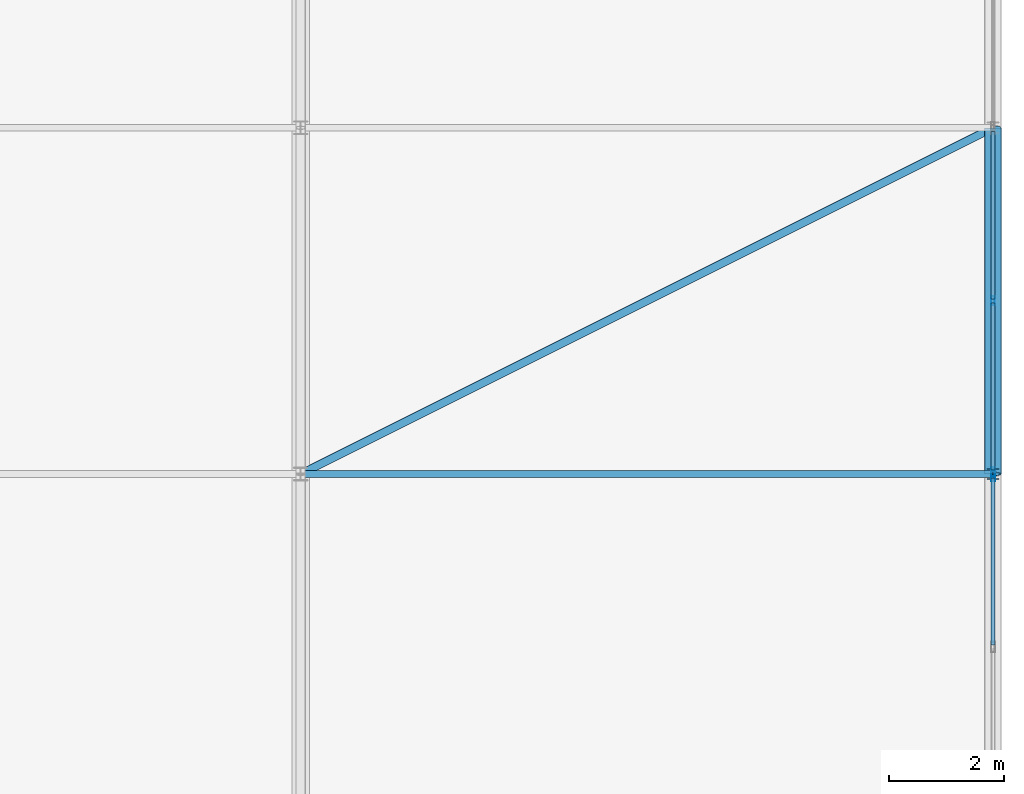
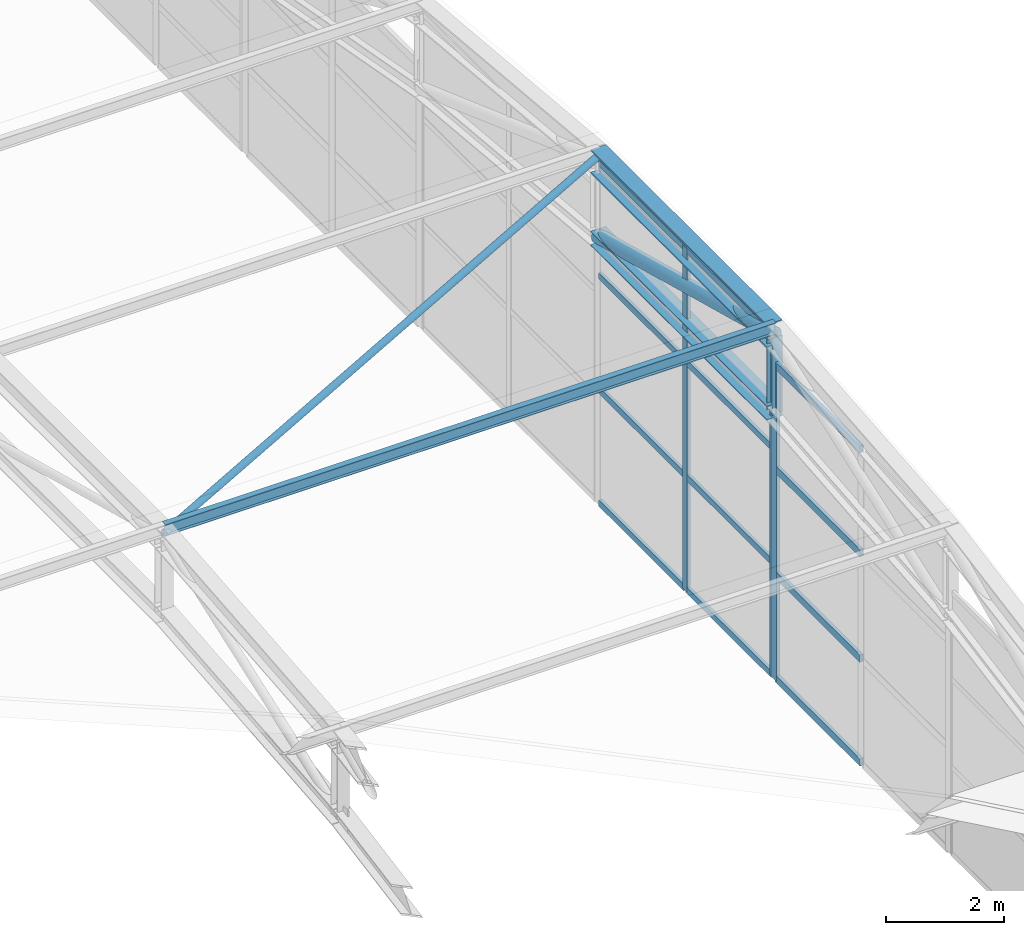
# One storey, part 111 of 204: 21 members, 2 elements without a shape of their own.
"""IFC4 building model written with IfcOpenShell, lengths in metres."""

from ifc_helpers import new_model, si_unit, direction, frame, origin, origin_2d, place, context, subcontext, project, spatial, hollow_rectangle, hollow_circle, i_section, extrude, material, layer, layer_set, material_profile, profile_set, type_object, element, aggregate, save


model = new_model("IFC4")

# Units and contexts
model_context = context("Model", 3, precision=1e-05, world=origin(), true_north=direction((0.0, 1.0)))
body_context = subcontext(model_context, "Body", "Model", "MODEL_VIEW")
ifc_project = project(units=[si_unit("LENGTHUNIT", "METRE"), si_unit("AREAUNIT", "SQUARE_METRE"), si_unit("VOLUMEUNIT", "CUBIC_METRE"), si_unit("PLANEANGLEUNIT", "RADIAN"), si_unit("MASSUNIT", "GRAM", prefix="KILO")], contexts=[model_context])

# Site, building, storey
site_placement = place(None, origin())
site = spatial("IfcSite", under=ifc_project, at=site_placement, CompositionType="ELEMENT")
building_placement = place(site_placement, origin())
building = spatial("IfcBuilding", under=site, at=building_placement, Name="Zilviju Railside Exhibition Hall", CompositionType="ELEMENT")
storey_placement = place(building_placement, frame((0.0, 0.0, 21.0)))
storey = spatial("IfcBuildingStorey", under=building, at=storey_placement, Name="RF", CompositionType="ELEMENT", Elevation=21.0)

# Curtain wall, members
ifc_material_1 = material(Name="Thermally broken aluminium-steel triple-glazed curtain wall", Category="steel")
ifc_layer_1 = layer(ifc_material_1, 0.179931640625)
ifc_layer_set_1 = layer_set([ifc_layer_1], Name="Thermally broken aluminium-steel triple-glazed curtain wall")
curtain_wall_type_1 = type_object("IfcCurtainWallType", Name="CW-BAY-02", PredefinedType="USERDEFINED", material=ifc_layer_set_1)
curtain_wall_1_placement = place(storey_placement, origin())
curtain_wall_1 = element("IfcCurtainWall", 1, at=curtain_wall_1_placement, inside=storey, type_object=curtain_wall_type_1, Name="South Hall Arch Tympanum Glazing East P5", ObjectType="GLAZED CURTAIN WALL", PredefinedType="USERDEFINED")
ifc_material_2 = material(Name="Thermally broken anodized aluminium mullion", Category="aluminium")
ifc_material_profile_1 = material_profile(ifc_material_2, hollow_rectangle(XDim=0.06494140625, YDim=0.159912109375, WallThickness=0.0048828125, at=origin_2d()), Name="MULLION 160x65x5")
ifc_profile_set_1 = profile_set([ifc_material_profile_1], Name="Thermally broken anodized aluminium mullion")
member_type_1 = type_object("IfcMemberType", Name="CWM-65x160", PredefinedType="MULLION", material=ifc_profile_set_1)
member_1_placement = place(storey_placement, frame((216.0, 27.0, -7.800048828125), z_axis=(0.0, 0.0, 1.0), x_axis=(1.0, 0.0, 0.0)))
member_1 = element("IfcMember", 2, at=member_1_placement, type_object=member_type_1, Name="CW-02 mullion 2", PredefinedType="MULLION", context=body_context, shape_type="SweptSolid", body=[
    extrude(hollow_rectangle(XDim=0.06494140625, YDim=0.159912109375, WallThickness=0.0048828125, at=origin_2d()), origin(), (0.0, 0.0, 1.0), 7.131103515625),
])
member_2_placement = place(storey_placement, frame((216.0, 24.032470703125, -7.800048828125), z_axis=(0.0, 0.0, 1.0), x_axis=(1.0, 0.0, 0.0)))
member_2 = element("IfcMember", 3, at=member_2_placement, type_object=member_type_1, Name="CW-02 mullion 3", PredefinedType="MULLION", context=body_context, shape_type="SweptSolid", body=[
    extrude(hollow_rectangle(XDim=0.06494140625, YDim=0.159912109375, WallThickness=0.0048828125, at=origin_2d()), origin(), (0.0, 0.0, 1.0), 7.131103515625),
])

# Curtain wall, member
ifc_layer_2 = layer(ifc_material_1, 0.179931640625)
ifc_layer_set_2 = layer_set([ifc_layer_2], Name="Thermally broken aluminium-steel triple-glazed curtain wall")
curtain_wall_type_2 = type_object("IfcCurtainWallType", Name="CW-BAY-01", PredefinedType="USERDEFINED", material=ifc_layer_set_2)
curtain_wall_2_placement = place(storey_placement, origin())
curtain_wall_2 = element("IfcCurtainWall", 4, at=curtain_wall_2_placement, inside=storey, type_object=curtain_wall_type_2, Name="South Hall Arch Tympanum Glazing East P4", ObjectType="GLAZED CURTAIN WALL", PredefinedType="USERDEFINED")
ifc_material_profile_2 = material_profile(ifc_material_2, hollow_rectangle(XDim=0.070068359375, YDim=0.179931640625, WallThickness=0.0048828125, at=origin_2d()), Name="MULLION 180x70x5")
ifc_profile_set_2 = profile_set([ifc_material_profile_2], Name="Thermally broken anodized aluminium mullion")
member_type_2 = type_object("IfcMemberType", Name="CWM-70x180", PredefinedType="MULLION", material=ifc_profile_set_2)
member_3_placement = place(storey_placement, frame((216.0, 23.965087890625, -7.800048828125), z_axis=(0.0, 0.0, 1.0), x_axis=(1.0, 0.0, 0.0)))
member_3 = element("IfcMember", 5, at=member_3_placement, type_object=member_type_2, Name="CW-01 mullion 1", PredefinedType="MULLION", context=body_context, shape_type="SweptSolid", body=[
    extrude(hollow_rectangle(XDim=0.070068359375, YDim=0.179931640625, WallThickness=0.0048828125, at=origin_2d()), origin(), (0.0, 0.0, 1.0), 6.578125),
])

# Member
ifc_material_3 = material(Name="Thermally broken anodized aluminium transom", Category="aluminium")
ifc_material_profile_3 = material_profile(ifc_material_3, hollow_rectangle(XDim=0.06494140625, YDim=0.1298828125, WallThickness=0.0048828125, at=origin_2d()), Name="TRANSOM 130x65x5")
ifc_profile_set_3 = profile_set([ifc_material_profile_3], Name="Thermally broken anodized aluminium transom")
member_type_3 = type_object("IfcMemberType", Name="CWT-65x130", PredefinedType="USERDEFINED", material=ifc_profile_set_3)
member_4_placement = place(storey_placement, frame((216.0, 29.93505859375, -7.767578125), z_axis=(0.0, -1.0, 0.0), x_axis=(1.0, 0.0, 0.0)))
member_4 = element("IfcMember", 6, at=member_4_placement, type_object=member_type_3, Name="CW-02 transom 1.1", ObjectType="TRANSOM", PredefinedType="USERDEFINED", context=body_context, shape_type="SweptSolid", body=[
    extrude(hollow_rectangle(XDim=0.06494140625, YDim=0.1298828125, WallThickness=0.0048828125, at=origin_2d()), origin(), (0.0, 0.0, 1.0), 2.902587890625),
])

member_5_placement = place(storey_placement, frame((216.0, 29.93505859375, -5.423095703125), z_axis=(0.0, -1.0, 0.0), x_axis=(1.0, 0.0, 0.0)))
member_5 = element("IfcMember", 7, at=member_5_placement, type_object=member_type_3, Name="CW-02 transom 1.2", ObjectType="TRANSOM", PredefinedType="USERDEFINED", context=body_context, shape_type="SweptSolid", body=[
    extrude(hollow_rectangle(XDim=0.06494140625, YDim=0.1298828125, WallThickness=0.0048828125, at=origin_2d()), origin(), (0.0, 0.0, 1.0), 2.902587890625),
])

member_6_placement = place(storey_placement, frame((216.0, 29.93505859375, -3.0458984375), z_axis=(0.0, -1.0, 0.0), x_axis=(1.0, 0.0, 0.0)))
member_6 = element("IfcMember", 8, at=member_6_placement, type_object=member_type_3, Name="CW-02 transom 1.3", ObjectType="TRANSOM", PredefinedType="USERDEFINED", context=body_context, shape_type="SweptSolid", body=[
    extrude(hollow_rectangle(XDim=0.06494140625, YDim=0.1298828125, WallThickness=0.0048828125, at=origin_2d()), origin(), (0.0, 0.0, 1.0), 2.902587890625),
])

member_7_placement = place(storey_placement, frame((216.0, 29.93505859375, -0.701416015625), z_axis=(0.0, -1.0, 0.0), x_axis=(1.0, 0.0, 0.0)))
member_7 = element("IfcMember", 9, at=member_7_placement, type_object=member_type_3, Name="CW-02 transom 1.4", ObjectType="TRANSOM", PredefinedType="USERDEFINED", context=body_context, shape_type="SweptSolid", body=[
    extrude(hollow_rectangle(XDim=0.06494140625, YDim=0.1298828125, WallThickness=0.0048828125, at=origin_2d()), origin(), (0.0, 0.0, 1.0), 2.902587890625),
])

member_8_placement = place(storey_placement, frame((216.0, 26.967529296875, -7.767578125), z_axis=(0.0, -1.0, 0.0), x_axis=(1.0, 0.0, 0.0)))
member_8 = element("IfcMember", 10, at=member_8_placement, type_object=member_type_3, Name="CW-02 transom 2.1", ObjectType="TRANSOM", PredefinedType="USERDEFINED", context=body_context, shape_type="SweptSolid", body=[
    extrude(hollow_rectangle(XDim=0.06494140625, YDim=0.1298828125, WallThickness=0.0048828125, at=origin_2d()), origin(), (0.0, 0.0, 1.0), 2.902587890625),
])

member_9_placement = place(storey_placement, frame((216.0, 26.967529296875, -5.423095703125), z_axis=(0.0, -1.0, 0.0), x_axis=(1.0, 0.0, 0.0)))
member_9 = element("IfcMember", 11, at=member_9_placement, type_object=member_type_3, Name="CW-02 transom 2.2", ObjectType="TRANSOM", PredefinedType="USERDEFINED", context=body_context, shape_type="SweptSolid", body=[
    extrude(hollow_rectangle(XDim=0.06494140625, YDim=0.1298828125, WallThickness=0.0048828125, at=origin_2d()), origin(), (0.0, 0.0, 1.0), 2.902587890625),
])

member_10_placement = place(storey_placement, frame((216.0, 26.967529296875, -3.0458984375), z_axis=(0.0, -1.0, 0.0), x_axis=(1.0, 0.0, 0.0)))
member_10 = element("IfcMember", 12, at=member_10_placement, type_object=member_type_3, Name="CW-02 transom 2.3", ObjectType="TRANSOM", PredefinedType="USERDEFINED", context=body_context, shape_type="SweptSolid", body=[
    extrude(hollow_rectangle(XDim=0.06494140625, YDim=0.1298828125, WallThickness=0.0048828125, at=origin_2d()), origin(), (0.0, 0.0, 1.0), 2.902587890625),
])

member_11_placement = place(storey_placement, frame((216.0, 26.967529296875, -0.701416015625), z_axis=(0.0, -1.0, 0.0), x_axis=(1.0, 0.0, 0.0)))
member_11 = element("IfcMember", 13, at=member_11_placement, type_object=member_type_3, Name="CW-02 transom 2.4", ObjectType="TRANSOM", PredefinedType="USERDEFINED", context=body_context, shape_type="SweptSolid", body=[
    extrude(hollow_rectangle(XDim=0.06494140625, YDim=0.1298828125, WallThickness=0.0048828125, at=origin_2d()), origin(), (0.0, 0.0, 1.0), 2.902587890625),
])

aggregate(curtain_wall_1, [member_1, member_2, member_4, member_5, member_6, member_7, member_8, member_9, member_10, member_11])

ifc_material_profile_4 = material_profile(ifc_material_3, hollow_rectangle(XDim=0.070068359375, YDim=0.14990234375, WallThickness=0.0048828125, at=origin_2d()), Name="TRANSOM 150x70x5")
ifc_profile_set_4 = profile_set([ifc_material_profile_4], Name="Thermally broken anodized aluminium transom")
member_type_4 = type_object("IfcMemberType", Name="CWT-70x150", PredefinedType="USERDEFINED", material=ifc_profile_set_4)
member_12_placement = place(storey_placement, frame((216.0, 23.929931640625, -7.764892578125), z_axis=(0.0, -1.0, 0.0), x_axis=(1.0, 0.0, 0.0)))
member_12 = element("IfcMember", 14, at=member_12_placement, type_object=member_type_4, Name="CW-01 transom 1.1", ObjectType="TRANSOM", PredefinedType="USERDEFINED", context=body_context, shape_type="SweptSolid", body=[
    extrude(hollow_rectangle(XDim=0.070068359375, YDim=0.14990234375, WallThickness=0.0048828125, at=origin_2d()), origin(), (0.0, 0.0, 1.0), 2.89501953125),
])

member_13_placement = place(storey_placement, frame((216.0, 23.929931640625, -5.60693359375), z_axis=(0.0, -1.0, 0.0), x_axis=(1.0, 0.0, 0.0)))
member_13 = element("IfcMember", 15, at=member_13_placement, type_object=member_type_4, Name="CW-01 transom 1.2", ObjectType="TRANSOM", PredefinedType="USERDEFINED", context=body_context, shape_type="SweptSolid", body=[
    extrude(hollow_rectangle(XDim=0.070068359375, YDim=0.14990234375, WallThickness=0.0048828125, at=origin_2d()), origin(), (0.0, 0.0, 1.0), 2.89501953125),
])

member_14_placement = place(storey_placement, frame((216.0, 23.929931640625, -3.4150390625), z_axis=(0.0, -1.0, 0.0), x_axis=(1.0, 0.0, 0.0)))
member_14 = element("IfcMember", 16, at=member_14_placement, type_object=member_type_4, Name="CW-01 transom 1.3", ObjectType="TRANSOM", PredefinedType="USERDEFINED", context=body_context, shape_type="SweptSolid", body=[
    extrude(hollow_rectangle(XDim=0.070068359375, YDim=0.14990234375, WallThickness=0.0048828125, at=origin_2d()), origin(), (0.0, 0.0, 1.0), 2.89501953125),
])

member_15_placement = place(storey_placement, frame((216.0, 23.929931640625, -1.257080078125), z_axis=(0.0, -1.0, 0.0), x_axis=(1.0, 0.0, 0.0)))
member_15 = element("IfcMember", 17, at=member_15_placement, type_object=member_type_4, Name="CW-01 transom 1.4", ObjectType="TRANSOM", PredefinedType="USERDEFINED", context=body_context, shape_type="SweptSolid", body=[
    extrude(hollow_rectangle(XDim=0.070068359375, YDim=0.14990234375, WallThickness=0.0048828125, at=origin_2d()), origin(), (0.0, 0.0, 1.0), 2.89501953125),
])

aggregate(curtain_wall_2, [member_3, member_12, member_13, member_14, member_15])

# Members
ifc_material_4 = material(Name="Steel S355J2", Category="steel")
ifc_material_profile_5 = material_profile(ifc_material_4, hollow_circle(Radius=0.06982421875, WallThickness=0.00634765625, at=origin_2d()), Name="CHS 139.7x6.3")
ifc_profile_set_5 = profile_set([ifc_material_profile_5], Name="Steel S355J2")
member_type_5 = type_object("IfcMemberType", Name="TR-BR-CHS139", PredefinedType="BRACE", material=ifc_profile_set_5)
member_16_placement = place(storey_placement, frame((204.0, 24.0, -0.604248046875), z_axis=(0.894427191, 0.4472135955, 0.0), x_axis=(-0.4472135955, 0.894427191, 0.0)))
element("IfcMember", 18, at=member_16_placement, inside=storey, type_object=member_type_5, Name="V1 Roof Wind Brace (204.0..216.0)", PredefinedType="BRACE", context=body_context, shape_type="SweptSolid", body=[
    extrude(hollow_circle(Radius=0.06982421875, WallThickness=0.00634765625, at=origin_2d()), origin(), (0.0, 0.0, 1.0), 13.41650390625),
])
ifc_material_5 = material(Name="Steel S355ML", Category="steel")
ifc_material_profile_6 = material_profile(ifc_material_5, hollow_circle(Radius=0.136474609375, WallThickness=0.012451171875, at=origin_2d()), Name="CHS 273.0x12.5")
ifc_profile_set_6 = profile_set([ifc_material_profile_6], Name="Steel S355ML")
member_type_6 = type_object("IfcMemberType", Name="TR-BR-CHS273", PredefinedType="BRACE", material=ifc_profile_set_6)
member_17_placement = place(storey_placement, frame((216.0, 24.0, -0.669189453125), z_axis=(0.0, 0.966240812345, -0.257640626762), x_axis=(-1.0, 0.0, 0.0)))
element("IfcMember", 19, at=member_17_placement, inside=storey, type_object=member_type_6, Name="V1 Parabolic Arch Web Diagonal X=216.0 P5", PredefinedType="BRACE", context=body_context, shape_type="SweptSolid", body=[
    extrude(hollow_circle(Radius=0.136474609375, WallThickness=0.012451171875, at=origin_2d()), origin(), (0.0, 0.0, 1.0), 6.209716796875),
])
ifc_material_profile_7 = material_profile(ifc_material_5, i_section(OverallWidth=0.300048828125, OverallDepth=0.300048828125, WebThickness=0.010986328125, FlangeThickness=0.01904296875, at=origin_2d()), Name="HEB 300")
ifc_profile_set_7 = profile_set([ifc_material_profile_7], Name="Steel S355ML")
member_type_7 = type_object("IfcMemberType", Name="TR-CH-HEB300", PredefinedType="CHORD", material=ifc_profile_set_7)
member_18_placement = place(storey_placement, frame((216.0, 24.0, -2.26904296875), z_axis=(0.0, 1.0, 0.0), x_axis=(-1.0, 0.0, 0.0)))
element("IfcMember", 20, at=member_18_placement, inside=storey, type_object=member_type_7, Name="V1 Parabolic Arch Bottom Chord X=216.0 P5", PredefinedType="CHORD", context=body_context, shape_type="SweptSolid", body=[
    extrude(i_section(OverallWidth=0.300048828125, OverallDepth=0.300048828125, WebThickness=0.010986328125, FlangeThickness=0.01904296875, at=origin_2d()), origin(), (0.0, 0.0, 1.0), 6.0),
])
ifc_material_profile_8 = material_profile(ifc_material_5, i_section(OverallWidth=0.300048828125, OverallDepth=0.5, WebThickness=0.014404296875, FlangeThickness=0.028076171875, at=origin_2d()), Name="HEB 500")
ifc_profile_set_8 = profile_set([ifc_material_profile_8], Name="Steel S355ML")
member_type_8 = type_object("IfcMemberType", Name="TR-CH-HEB500-ML", PredefinedType="CHORD", material=ifc_profile_set_8)
member_19_placement = place(storey_placement, frame((216.0, 24.0, -0.669189453125), z_axis=(0.0, 1.0, 0.0), x_axis=(-1.0, 0.0, 0.0)))
element("IfcMember", 21, at=member_19_placement, inside=storey, type_object=member_type_8, Name="V1 Parabolic Arch Top Chord X=216.0 P5", PredefinedType="CHORD", context=body_context, shape_type="SweptSolid", body=[
    extrude(i_section(OverallWidth=0.300048828125, OverallDepth=0.5, WebThickness=0.014404296875, FlangeThickness=0.028076171875, at=origin_2d()), origin(), (0.0, 0.0, 1.0), 6.0),
])
ifc_material_profile_9 = material_profile(ifc_material_5, i_section(OverallWidth=0.199951171875, OverallDepth=0.18994140625, WebThickness=0.006591796875, FlangeThickness=0.010009765625, at=origin_2d()), Name="HEA 200")
ifc_profile_set_9 = profile_set([ifc_material_profile_9], Name="Steel S355ML")
member_type_9 = type_object("IfcMemberType", Name="TR-POST-HEA200", PredefinedType="POST", material=ifc_profile_set_9)
member_20_placement = place(storey_placement, frame((216.0, 24.0, -2.26904296875), z_axis=(0.0, 0.0, 1.0), x_axis=(1.0, 0.0, 0.0)))
element("IfcMember", 22, at=member_20_placement, inside=storey, type_object=member_type_9, Name="V1 Parabolic Arch Web Post X=216.0 N4", PredefinedType="POST", context=body_context, shape_type="SweptSolid", body=[
    extrude(i_section(OverallWidth=0.199951171875, OverallDepth=0.18994140625, WebThickness=0.006591796875, FlangeThickness=0.010009765625, at=origin_2d()), origin(), (0.0, 0.0, 1.0), 1.599853515625),
])
ifc_material_profile_10 = material_profile(ifc_material_4, i_section(OverallWidth=0.1201171875, OverallDepth=0.239990234375, WebThickness=0.006103515625, FlangeThickness=0.009765625, at=origin_2d()), Name="IPE 240")
ifc_profile_set_10 = profile_set([ifc_material_profile_10], Name="Steel S355J2")
member_type_10 = type_object("IfcMemberType", Name="TR-PUR-IPE240", PredefinedType="PURLIN", material=ifc_profile_set_10)
member_21_placement = place(storey_placement, frame((204.0, 24.0, -0.515625), z_axis=(1.0, 0.0, 0.0), x_axis=(0.0, 1.0, 0.0)))
element("IfcMember", 23, at=member_21_placement, inside=storey, type_object=member_type_10, Name="V1 Barrel Vault Roof Purlin Y=24.0 (204.0..216.0)", PredefinedType="PURLIN", context=body_context, shape_type="SweptSolid", body=[
    extrude(i_section(OverallWidth=0.1201171875, OverallDepth=0.239990234375, WebThickness=0.006103515625, FlangeThickness=0.009765625, at=origin_2d()), origin(), (0.0, 0.0, 1.0), 12.0),
])

save(model, "model.ifc")
